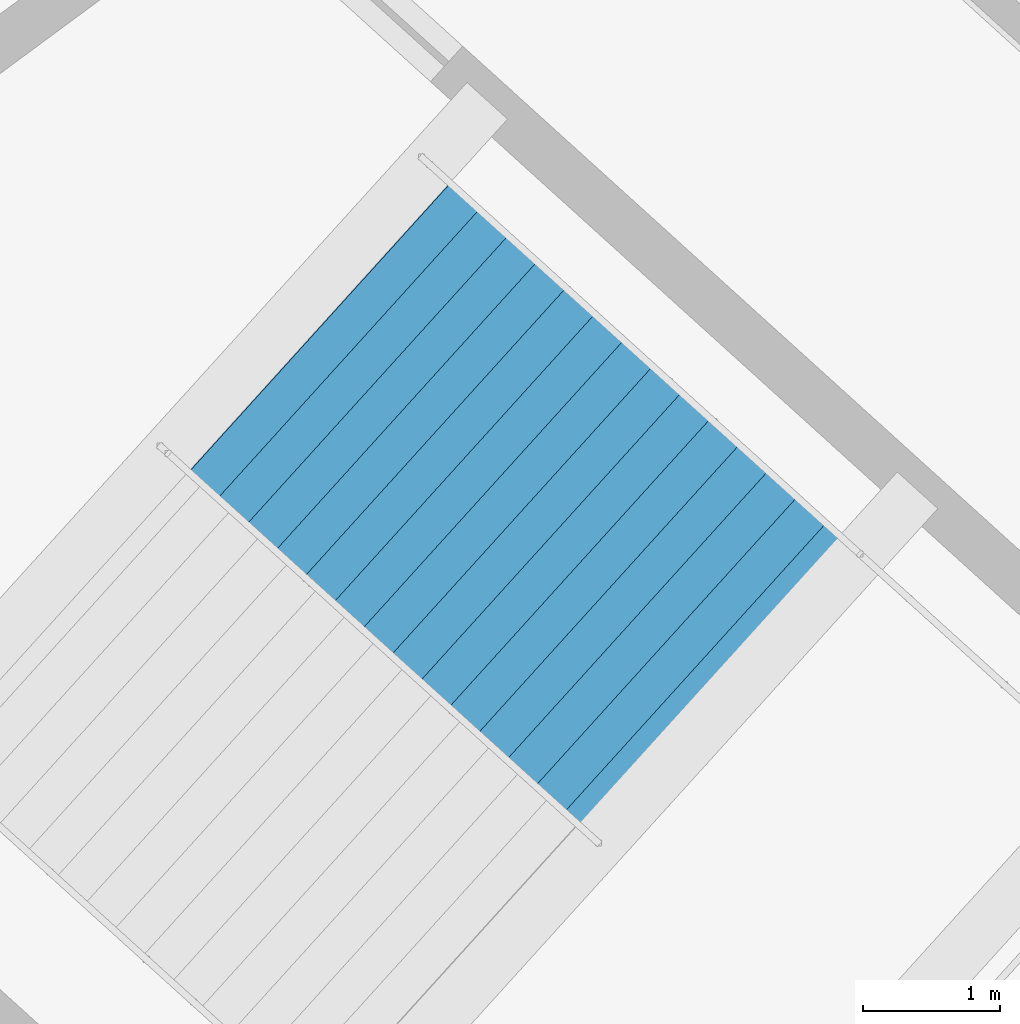
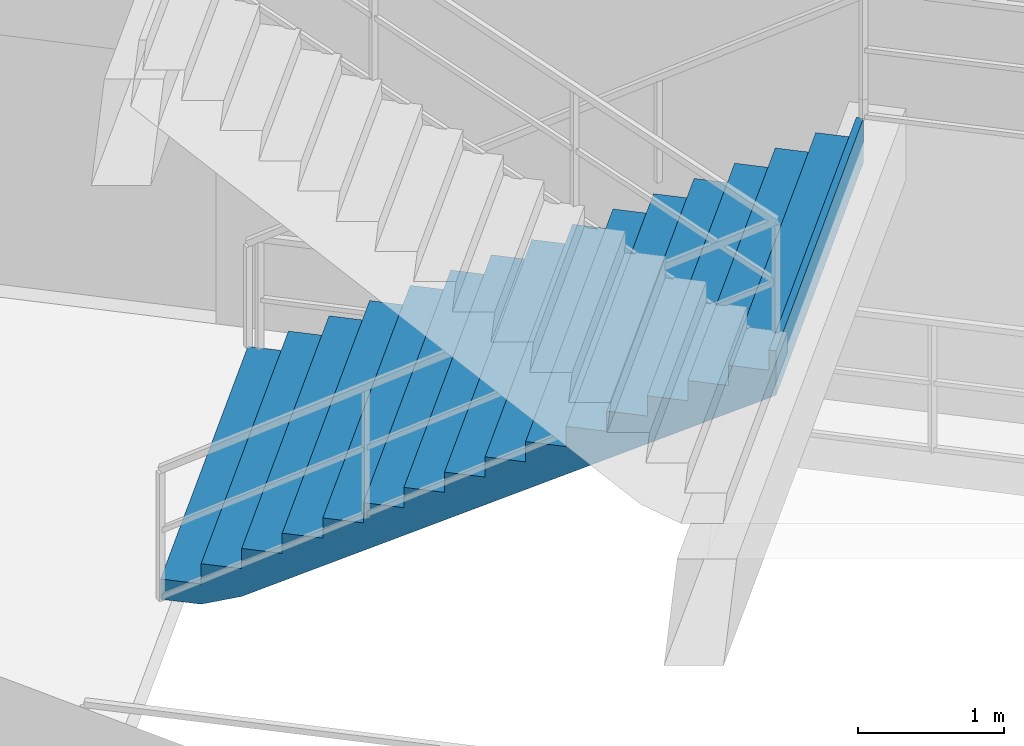
# One storey, part 153 of 162: 1 stair flight, 1 element without a shape of its own.
"""IFC4 building model written with IfcOpenShell, lengths in metres."""

from ifc_helpers import new_model, si_unit, direction, frame, origin, place, context, subcontext, project, spatial, polygons, material, type_object, element, aggregate, save


model = new_model("IFC4")

# Units and contexts
model_context = context("Model", 3, precision=1e-05, world=origin(), true_north=direction((0.0, 1.0)))
body_context = subcontext(model_context, "Body", "Model", "MODEL_VIEW")
ifc_project = project(units=[si_unit("LENGTHUNIT", "METRE"), si_unit("AREAUNIT", "SQUARE_METRE"), si_unit("VOLUMEUNIT", "CUBIC_METRE"), si_unit("PLANEANGLEUNIT", "RADIAN"), si_unit("MASSUNIT", "GRAM", prefix="KILO")], contexts=[model_context])

# Site, building, storey
site_placement = place(None, origin())
site = spatial("IfcSite", under=ifc_project, at=site_placement, CompositionType="ELEMENT")
building_placement = place(site_placement, origin())
building = spatial("IfcBuilding", under=site, at=building_placement, Name="Kazemori Nagisa Stadium", CompositionType="ELEMENT")
storey_placement = place(building_placement, frame((0.0, 0.0, 36.719970703125)))
storey = spatial("IfcBuildingStorey", under=building, at=storey_placement, Name="RF", CompositionType="ELEMENT", Elevation=36.719970703125)

# Stair, stair flight
ifc_material = material(Name="Concrete C36/45 (Fc36)", Category="concrete")
stair_type = type_object("IfcStairType", Name="Stair_CORE_32", PredefinedType="TWO_STRAIGHT_RUN_STAIR", material=ifc_material)
stair_placement = place(storey_placement, origin())
stair = element("IfcStair", 1, at=stair_placement, inside=storey, type_object=stair_type, Name="Exit stair ST03 RF", PredefinedType="TWO_STRAIGHT_RUN_STAIR")
stair_flight_type = type_object("IfcStairFlightType", Name="Flight_CORE_16", PredefinedType="STRAIGHT", material=ifc_material)
stair_flight_placement = place(storey_placement, frame((54.10791015625, 47.6630859375, 0.0), z_axis=(0.0, 0.0, 1.0), x_axis=(0.741354464355, -0.671113670089, 0.0)))
stair_flight = element("IfcStairFlight", 2, at=stair_flight_placement, type_object=stair_flight_type, Name="Exit stair ST03 RF flight 1", NumberOfRisers=16, NumberOfTreads=15, PredefinedType="STRAIGHT", RiserHeight=0.17, TreadLength=0.285, context=body_context, shape_type="Tessellation", body=[
    polygons([(0.0, -1.425048828125, 0.0), (0.0, -1.425048828125, 0.169921875), (0.284912109375, -1.425048828125, 0.169921875), (0.284912109375, -1.425048828125, 0.340087890625), (0.570068359375, -1.425048828125, 0.340087890625), (0.570068359375, -1.425048828125, 0.510009765625), (0.85498046875, -1.425048828125, 0.510009765625), (0.85498046875, -1.425048828125, 0.679931640625), (1.139892578125, -1.425048828125, 0.679931640625), (1.139892578125, -1.425048828125, 0.85009765625), (1.425048828125, -1.425048828125, 0.85009765625), (1.425048828125, -1.425048828125, 1.02001953125), (1.7099609375, -1.425048828125, 1.02001953125), (1.7099609375, -1.425048828125, 1.18994140625), (1.9951171875, -1.425048828125, 1.18994140625), (1.9951171875, -1.425048828125, 1.360107421875), (2.280029296875, -1.425048828125, 1.360107421875), (2.280029296875, -1.425048828125, 1.530029296875), (2.56494140625, -1.425048828125, 1.530029296875), (2.56494140625, -1.425048828125, 1.699951171875), (2.85009765625, -1.425048828125, 1.699951171875), (2.85009765625, -1.425048828125, 1.8701171875), (3.135009765625, -1.425048828125, 1.8701171875), (3.135009765625, -1.425048828125, 2.0400390625), (3.419921875, -1.425048828125, 2.0400390625), (3.419921875, -1.425048828125, 2.2099609375), (3.705078125, -1.425048828125, 2.2099609375), (3.705078125, -1.425048828125, 2.3798828125), (3.989990234375, -1.425048828125, 2.3798828125), (3.989990234375, -1.425048828125, 2.550048828125), (4.27490234375, -1.425048828125, 2.550048828125), (4.27490234375, -1.425048828125, 2.719970703125), (4.324951171875, -1.425048828125, 2.719970703125), (4.324951171875, -1.425048828125, 2.346923828125), (4.27490234375, -1.425048828125, 2.317138671875), (3.989990234375, -1.425048828125, 2.147216796875), (3.705078125, -1.425048828125, 1.977294921875), (3.419921875, -1.425048828125, 1.80712890625), (3.135009765625, -1.425048828125, 1.63720703125), (2.85009765625, -1.425048828125, 1.46728515625), (2.56494140625, -1.425048828125, 1.297119140625), (2.280029296875, -1.425048828125, 1.127197265625), (1.9951171875, -1.425048828125, 0.957275390625), (1.7099609375, -1.425048828125, 0.787109375), (1.425048828125, -1.425048828125, 0.6171875), (1.139892578125, -1.425048828125, 0.447265625), (0.85498046875, -1.425048828125, 0.277099609375), (0.570068359375, -1.425048828125, 0.107177734375), (0.284912109375, -1.425048828125, 0.0), (0.0, -0.08544921875, 0.0), (0.0, -0.08544921875, 0.169921875), (0.284912109375, -0.08544921875, 0.169921875), (0.284912109375, -0.08544921875, 0.340087890625), (0.570068359375, -0.08544921875, 0.340087890625), (0.570068359375, -0.08544921875, 0.510009765625), (0.85498046875, -0.08544921875, 0.510009765625), (0.85498046875, -0.08544921875, 0.679931640625), (1.139892578125, -0.08544921875, 0.679931640625), (1.139892578125, -0.08544921875, 0.85009765625), (1.425048828125, -0.08544921875, 0.85009765625), (1.425048828125, -0.08544921875, 1.02001953125), (1.7099609375, -0.08544921875, 1.02001953125), (1.7099609375, -0.08544921875, 1.18994140625), (1.9951171875, -0.08544921875, 1.18994140625), (1.9951171875, -0.08544921875, 1.360107421875), (2.280029296875, -0.08544921875, 1.360107421875), (2.280029296875, -0.08544921875, 1.530029296875), (2.56494140625, -0.08544921875, 1.530029296875), (2.56494140625, -0.08544921875, 1.699951171875), (2.85009765625, -0.08544921875, 1.699951171875), (2.85009765625, -0.08544921875, 1.8701171875), (3.135009765625, -0.08544921875, 1.8701171875), (3.135009765625, -0.08544921875, 2.0400390625), (3.419921875, -0.08544921875, 2.0400390625), (3.419921875, -0.08544921875, 2.2099609375), (3.705078125, -0.08544921875, 2.2099609375), (3.705078125, -0.08544921875, 2.3798828125), (3.989990234375, -0.08544921875, 2.3798828125), (3.989990234375, -0.08544921875, 2.550048828125), (4.27490234375, -0.08544921875, 2.550048828125), (4.27490234375, -0.08544921875, 2.719970703125), (4.324951171875, -0.08544921875, 2.719970703125), (4.324951171875, -0.08544921875, 2.346923828125), (4.27490234375, -0.08544921875, 2.317138671875), (3.989990234375, -0.08544921875, 2.147216796875), (3.705078125, -0.08544921875, 1.977294921875), (3.419921875, -0.08544921875, 1.80712890625), (3.135009765625, -0.08544921875, 1.63720703125), (2.85009765625, -0.08544921875, 1.46728515625), (2.56494140625, -0.08544921875, 1.297119140625), (2.280029296875, -0.08544921875, 1.127197265625), (1.9951171875, -0.08544921875, 0.957275390625), (1.7099609375, -0.08544921875, 0.787109375), (1.425048828125, -0.08544921875, 0.6171875), (1.139892578125, -0.08544921875, 0.447265625), (0.85498046875, -0.08544921875, 0.277099609375), (0.570068359375, -0.08544921875, 0.107177734375), (0.284912109375, -0.08544921875, 0.0), (0.0, 0.0, 0.0), (0.0, 0.0, 0.169921875), (0.284912109375, 0.0, 0.169921875), (0.284912109375, 0.0, 0.340087890625), (0.570068359375, 0.0, 0.340087890625), (0.570068359375, 0.0, 0.510009765625), (0.85498046875, 0.0, 0.510009765625), (0.85498046875, 0.0, 0.679931640625), (1.139892578125, 0.0, 0.679931640625), (1.139892578125, 0.0, 0.85009765625), (1.425048828125, 0.0, 0.85009765625), (1.425048828125, 0.0, 1.02001953125), (1.7099609375, 0.0, 1.02001953125), (1.7099609375, 0.0, 1.18994140625), (1.9951171875, 0.0, 1.18994140625), (1.9951171875, 0.0, 1.360107421875), (2.280029296875, 0.0, 1.360107421875), (2.280029296875, 0.0, 1.530029296875), (2.56494140625, 0.0, 1.530029296875), (2.56494140625, 0.0, 1.699951171875), (2.85009765625, 0.0, 1.699951171875), (2.85009765625, 0.0, 1.8701171875), (3.135009765625, 0.0, 1.8701171875), (3.135009765625, 0.0, 2.0400390625), (3.419921875, 0.0, 2.0400390625), (3.419921875, 0.0, 2.2099609375), (3.705078125, 0.0, 2.2099609375), (3.705078125, 0.0, 2.3798828125), (3.989990234375, 0.0, 2.3798828125), (3.989990234375, 0.0, 2.550048828125), (4.27490234375, 0.0, 2.550048828125), (4.27490234375, 0.0, 2.719970703125), (4.324951171875, 0.0, 2.719970703125), (4.324951171875, 0.0, 2.346923828125), (4.27490234375, 0.0, 2.317138671875), (3.989990234375, 0.0, 2.147216796875), (3.705078125, 0.0, 1.977294921875), (3.419921875, 0.0, 1.80712890625), (3.135009765625, 0.0, 1.63720703125), (2.85009765625, 0.0, 1.46728515625), (2.56494140625, 0.0, 1.297119140625), (2.280029296875, 0.0, 1.127197265625), (1.9951171875, 0.0, 0.957275390625), (1.7099609375, 0.0, 0.787109375), (1.425048828125, 0.0, 0.6171875), (1.139892578125, 0.0, 0.447265625), (0.85498046875, 0.0, 0.277099609375), (0.570068359375, 0.0, 0.107177734375), (0.284912109375, 0.0, 0.0), (0.0, 0.08544921875, 0.0), (0.0, 0.08544921875, 0.169921875), (0.284912109375, 0.08544921875, 0.169921875), (0.284912109375, 0.08544921875, 0.340087890625), (0.570068359375, 0.08544921875, 0.340087890625), (0.570068359375, 0.08544921875, 0.510009765625), (0.85498046875, 0.08544921875, 0.510009765625), (0.85498046875, 0.08544921875, 0.679931640625), (1.139892578125, 0.08544921875, 0.679931640625), (1.139892578125, 0.08544921875, 0.85009765625), (1.425048828125, 0.08544921875, 0.85009765625), (1.425048828125, 0.08544921875, 1.02001953125), (1.7099609375, 0.08544921875, 1.02001953125), (1.7099609375, 0.08544921875, 1.18994140625), (1.9951171875, 0.08544921875, 1.18994140625), (1.9951171875, 0.08544921875, 1.360107421875), (2.280029296875, 0.08544921875, 1.360107421875), (2.280029296875, 0.08544921875, 1.530029296875), (2.56494140625, 0.08544921875, 1.530029296875), (2.56494140625, 0.08544921875, 1.699951171875), (2.85009765625, 0.08544921875, 1.699951171875), (2.85009765625, 0.08544921875, 1.8701171875), (3.135009765625, 0.08544921875, 1.8701171875), (3.135009765625, 0.08544921875, 2.0400390625), (3.419921875, 0.08544921875, 2.0400390625), (3.419921875, 0.08544921875, 2.2099609375), (3.705078125, 0.08544921875, 2.2099609375), (3.705078125, 0.08544921875, 2.3798828125), (3.989990234375, 0.08544921875, 2.3798828125), (3.989990234375, 0.08544921875, 2.550048828125), (4.27490234375, 0.08544921875, 2.550048828125), (4.27490234375, 0.08544921875, 2.719970703125), (4.324951171875, 0.08544921875, 2.719970703125), (4.324951171875, 0.08544921875, 2.346923828125), (4.27490234375, 0.08544921875, 2.317138671875), (3.989990234375, 0.08544921875, 2.147216796875), (3.705078125, 0.08544921875, 1.977294921875), (3.419921875, 0.08544921875, 1.80712890625), (3.135009765625, 0.08544921875, 1.63720703125), (2.85009765625, 0.08544921875, 1.46728515625), (2.56494140625, 0.08544921875, 1.297119140625), (2.280029296875, 0.08544921875, 1.127197265625), (1.9951171875, 0.08544921875, 0.957275390625), (1.7099609375, 0.08544921875, 0.787109375), (1.425048828125, 0.08544921875, 0.6171875), (1.139892578125, 0.08544921875, 0.447265625), (0.85498046875, 0.08544921875, 0.277099609375), (0.570068359375, 0.08544921875, 0.107177734375), (0.284912109375, 0.08544921875, 0.0), (0.0, 1.425048828125, 0.0), (0.0, 1.425048828125, 0.169921875), (0.284912109375, 1.425048828125, 0.169921875), (0.284912109375, 1.425048828125, 0.340087890625), (0.570068359375, 1.425048828125, 0.340087890625), (0.570068359375, 1.425048828125, 0.510009765625), (0.85498046875, 1.425048828125, 0.510009765625), (0.85498046875, 1.425048828125, 0.679931640625), (1.139892578125, 1.425048828125, 0.679931640625), (1.139892578125, 1.425048828125, 0.85009765625), (1.425048828125, 1.425048828125, 0.85009765625), (1.425048828125, 1.425048828125, 1.02001953125), (1.7099609375, 1.425048828125, 1.02001953125), (1.7099609375, 1.425048828125, 1.18994140625), (1.9951171875, 1.425048828125, 1.18994140625), (1.9951171875, 1.425048828125, 1.360107421875), (2.280029296875, 1.425048828125, 1.360107421875), (2.280029296875, 1.425048828125, 1.530029296875), (2.56494140625, 1.425048828125, 1.530029296875), (2.56494140625, 1.425048828125, 1.699951171875), (2.85009765625, 1.425048828125, 1.699951171875), (2.85009765625, 1.425048828125, 1.8701171875), (3.135009765625, 1.425048828125, 1.8701171875), (3.135009765625, 1.425048828125, 2.0400390625), (3.419921875, 1.425048828125, 2.0400390625), (3.419921875, 1.425048828125, 2.2099609375), (3.705078125, 1.425048828125, 2.2099609375), (3.705078125, 1.425048828125, 2.3798828125), (3.989990234375, 1.425048828125, 2.3798828125), (3.989990234375, 1.425048828125, 2.550048828125), (4.27490234375, 1.425048828125, 2.550048828125), (4.27490234375, 1.425048828125, 2.719970703125), (4.324951171875, 1.425048828125, 2.719970703125), (4.324951171875, 1.425048828125, 2.346923828125), (4.27490234375, 1.425048828125, 2.317138671875), (3.989990234375, 1.425048828125, 2.147216796875), (3.705078125, 1.425048828125, 1.977294921875), (3.419921875, 1.425048828125, 1.80712890625), (3.135009765625, 1.425048828125, 1.63720703125), (2.85009765625, 1.425048828125, 1.46728515625), (2.56494140625, 1.425048828125, 1.297119140625), (2.280029296875, 1.425048828125, 1.127197265625), (1.9951171875, 1.425048828125, 0.957275390625), (1.7099609375, 1.425048828125, 0.787109375), (1.425048828125, 1.425048828125, 0.6171875), (1.139892578125, 1.425048828125, 0.447265625), (0.85498046875, 1.425048828125, 0.277099609375), (0.570068359375, 1.425048828125, 0.107177734375), (0.284912109375, 1.425048828125, 0.0)], [[[1, 2, 51]], [[1, 51, 50]], [[2, 3, 52]], [[2, 52, 51]], [[3, 4, 53]], [[3, 53, 52]], [[4, 5, 54]], [[4, 54, 53]], [[5, 6, 55]], [[5, 55, 54]], [[6, 7, 56]], [[6, 56, 55]], [[7, 8, 57]], [[7, 57, 56]], [[8, 9, 58]], [[8, 58, 57]], [[9, 10, 59]], [[9, 59, 58]], [[10, 11, 60]], [[10, 60, 59]], [[11, 12, 61]], [[11, 61, 60]], [[12, 13, 62]], [[12, 62, 61]], [[13, 14, 63]], [[13, 63, 62]], [[14, 15, 64]], [[14, 64, 63]], [[15, 16, 65]], [[15, 65, 64]], [[16, 17, 66]], [[16, 66, 65]], [[17, 18, 67]], [[17, 67, 66]], [[18, 19, 68]], [[18, 68, 67]], [[19, 20, 69]], [[19, 69, 68]], [[20, 21, 70]], [[20, 70, 69]], [[21, 22, 71]], [[21, 71, 70]], [[22, 23, 72]], [[22, 72, 71]], [[23, 24, 73]], [[23, 73, 72]], [[24, 25, 74]], [[24, 74, 73]], [[25, 26, 75]], [[25, 75, 74]], [[26, 27, 76]], [[26, 76, 75]], [[27, 28, 77]], [[27, 77, 76]], [[28, 29, 78]], [[28, 78, 77]], [[29, 30, 79]], [[29, 79, 78]], [[30, 31, 80]], [[30, 80, 79]], [[31, 32, 81]], [[31, 81, 80]], [[32, 33, 82]], [[32, 82, 81]], [[33, 34, 83]], [[33, 83, 82]], [[34, 35, 84]], [[34, 84, 83]], [[35, 36, 85]], [[35, 85, 84]], [[36, 37, 86]], [[36, 86, 85]], [[37, 38, 87]], [[37, 87, 86]], [[38, 39, 88]], [[38, 88, 87]], [[39, 40, 89]], [[39, 89, 88]], [[40, 41, 90]], [[40, 90, 89]], [[41, 42, 91]], [[41, 91, 90]], [[42, 43, 92]], [[42, 92, 91]], [[43, 44, 93]], [[43, 93, 92]], [[44, 45, 94]], [[44, 94, 93]], [[45, 46, 95]], [[45, 95, 94]], [[46, 47, 96]], [[46, 96, 95]], [[47, 48, 97]], [[47, 97, 96]], [[48, 49, 98]], [[48, 98, 97]], [[49, 1, 50]], [[49, 50, 98]], [[50, 51, 100]], [[50, 100, 99]], [[51, 52, 101]], [[51, 101, 100]], [[52, 53, 102]], [[52, 102, 101]], [[53, 54, 103]], [[53, 103, 102]], [[54, 55, 104]], [[54, 104, 103]], [[55, 56, 105]], [[55, 105, 104]], [[56, 57, 106]], [[56, 106, 105]], [[57, 58, 107]], [[57, 107, 106]], [[58, 59, 108]], [[58, 108, 107]], [[59, 60, 109]], [[59, 109, 108]], [[60, 61, 110]], [[60, 110, 109]], [[61, 62, 111]], [[61, 111, 110]], [[62, 63, 112]], [[62, 112, 111]], [[63, 64, 113]], [[63, 113, 112]], [[64, 65, 114]], [[64, 114, 113]], [[65, 66, 115]], [[65, 115, 114]], [[66, 67, 116]], [[66, 116, 115]], [[67, 68, 117]], [[67, 117, 116]], [[68, 69, 118]], [[68, 118, 117]], [[69, 70, 119]], [[69, 119, 118]], [[70, 71, 120]], [[70, 120, 119]], [[71, 72, 121]], [[71, 121, 120]], [[72, 73, 122]], [[72, 122, 121]], [[73, 74, 123]], [[73, 123, 122]], [[74, 75, 124]], [[74, 124, 123]], [[75, 76, 125]], [[75, 125, 124]], [[76, 77, 126]], [[76, 126, 125]], [[77, 78, 127]], [[77, 127, 126]], [[78, 79, 128]], [[78, 128, 127]], [[79, 80, 129]], [[79, 129, 128]], [[80, 81, 130]], [[80, 130, 129]], [[81, 82, 131]], [[81, 131, 130]], [[82, 83, 132]], [[82, 132, 131]], [[83, 84, 133]], [[83, 133, 132]], [[84, 85, 134]], [[84, 134, 133]], [[85, 86, 135]], [[85, 135, 134]], [[86, 87, 136]], [[86, 136, 135]], [[87, 88, 137]], [[87, 137, 136]], [[88, 89, 138]], [[88, 138, 137]], [[89, 90, 139]], [[89, 139, 138]], [[90, 91, 140]], [[90, 140, 139]], [[91, 92, 141]], [[91, 141, 140]], [[92, 93, 142]], [[92, 142, 141]], [[93, 94, 143]], [[93, 143, 142]], [[94, 95, 144]], [[94, 144, 143]], [[95, 96, 145]], [[95, 145, 144]], [[96, 97, 146]], [[96, 146, 145]], [[97, 98, 147]], [[97, 147, 146]], [[98, 50, 99]], [[98, 99, 147]], [[99, 100, 149]], [[99, 149, 148]], [[100, 101, 150]], [[100, 150, 149]], [[101, 102, 151]], [[101, 151, 150]], [[102, 103, 152]], [[102, 152, 151]], [[103, 104, 153]], [[103, 153, 152]], [[104, 105, 154]], [[104, 154, 153]], [[105, 106, 155]], [[105, 155, 154]], [[106, 107, 156]], [[106, 156, 155]], [[107, 108, 157]], [[107, 157, 156]], [[108, 109, 158]], [[108, 158, 157]], [[109, 110, 159]], [[109, 159, 158]], [[110, 111, 160]], [[110, 160, 159]], [[111, 112, 161]], [[111, 161, 160]], [[112, 113, 162]], [[112, 162, 161]], [[113, 114, 163]], [[113, 163, 162]], [[114, 115, 164]], [[114, 164, 163]], [[115, 116, 165]], [[115, 165, 164]], [[116, 117, 166]], [[116, 166, 165]], [[117, 118, 167]], [[117, 167, 166]], [[118, 119, 168]], [[118, 168, 167]], [[119, 120, 169]], [[119, 169, 168]], [[120, 121, 170]], [[120, 170, 169]], [[121, 122, 171]], [[121, 171, 170]], [[122, 123, 172]], [[122, 172, 171]], [[123, 124, 173]], [[123, 173, 172]], [[124, 125, 174]], [[124, 174, 173]], [[125, 126, 175]], [[125, 175, 174]], [[126, 127, 176]], [[126, 176, 175]], [[127, 128, 177]], [[127, 177, 176]], [[128, 129, 178]], [[128, 178, 177]], [[129, 130, 179]], [[129, 179, 178]], [[130, 131, 180]], [[130, 180, 179]], [[131, 132, 181]], [[131, 181, 180]], [[132, 133, 182]], [[132, 182, 181]], [[133, 134, 183]], [[133, 183, 182]], [[134, 135, 184]], [[134, 184, 183]], [[135, 136, 185]], [[135, 185, 184]], [[136, 137, 186]], [[136, 186, 185]], [[137, 138, 187]], [[137, 187, 186]], [[138, 139, 188]], [[138, 188, 187]], [[139, 140, 189]], [[139, 189, 188]], [[140, 141, 190]], [[140, 190, 189]], [[141, 142, 191]], [[141, 191, 190]], [[142, 143, 192]], [[142, 192, 191]], [[143, 144, 193]], [[143, 193, 192]], [[144, 145, 194]], [[144, 194, 193]], [[145, 146, 195]], [[145, 195, 194]], [[146, 147, 196]], [[146, 196, 195]], [[147, 99, 148]], [[147, 148, 196]], [[148, 149, 198]], [[148, 198, 197]], [[149, 150, 199]], [[149, 199, 198]], [[150, 151, 200]], [[150, 200, 199]], [[151, 152, 201]], [[151, 201, 200]], [[152, 153, 202]], [[152, 202, 201]], [[153, 154, 203]], [[153, 203, 202]], [[154, 155, 204]], [[154, 204, 203]], [[155, 156, 205]], [[155, 205, 204]], [[156, 157, 206]], [[156, 206, 205]], [[157, 158, 207]], [[157, 207, 206]], [[158, 159, 208]], [[158, 208, 207]], [[159, 160, 209]], [[159, 209, 208]], [[160, 161, 210]], [[160, 210, 209]], [[161, 162, 211]], [[161, 211, 210]], [[162, 163, 212]], [[162, 212, 211]], [[163, 164, 213]], [[163, 213, 212]], [[164, 165, 214]], [[164, 214, 213]], [[165, 166, 215]], [[165, 215, 214]], [[166, 167, 216]], [[166, 216, 215]], [[167, 168, 217]], [[167, 217, 216]], [[168, 169, 218]], [[168, 218, 217]], [[169, 170, 219]], [[169, 219, 218]], [[170, 171, 220]], [[170, 220, 219]], [[171, 172, 221]], [[171, 221, 220]], [[172, 173, 222]], [[172, 222, 221]], [[173, 174, 223]], [[173, 223, 222]], [[174, 175, 224]], [[174, 224, 223]], [[175, 176, 225]], [[175, 225, 224]], [[176, 177, 226]], [[176, 226, 225]], [[177, 178, 227]], [[177, 227, 226]], [[178, 179, 228]], [[178, 228, 227]], [[179, 180, 229]], [[179, 229, 228]], [[180, 181, 230]], [[180, 230, 229]], [[181, 182, 231]], [[181, 231, 230]], [[182, 183, 232]], [[182, 232, 231]], [[183, 184, 233]], [[183, 233, 232]], [[184, 185, 234]], [[184, 234, 233]], [[185, 186, 235]], [[185, 235, 234]], [[186, 187, 236]], [[186, 236, 235]], [[187, 188, 237]], [[187, 237, 236]], [[188, 189, 238]], [[188, 238, 237]], [[189, 190, 239]], [[189, 239, 238]], [[190, 191, 240]], [[190, 240, 239]], [[191, 192, 241]], [[191, 241, 240]], [[192, 193, 242]], [[192, 242, 241]], [[193, 194, 243]], [[193, 243, 242]], [[194, 195, 244]], [[194, 244, 243]], [[195, 196, 245]], [[195, 245, 244]], [[196, 148, 197]], [[196, 197, 245]], [[3, 2, 1]], [[197, 198, 199]], [[49, 3, 1]], [[197, 199, 245]], [[48, 3, 49]], [[245, 199, 244]], [[5, 3, 48]], [[244, 199, 201]], [[5, 4, 3]], [[199, 200, 201]], [[47, 5, 48]], [[244, 201, 243]], [[7, 5, 47]], [[243, 201, 203]], [[7, 6, 5]], [[201, 202, 203]], [[46, 7, 47]], [[243, 203, 242]], [[9, 7, 46]], [[242, 203, 205]], [[9, 8, 7]], [[203, 204, 205]], [[45, 9, 46]], [[242, 205, 241]], [[11, 9, 45]], [[241, 205, 207]], [[11, 10, 9]], [[205, 206, 207]], [[44, 11, 45]], [[241, 207, 240]], [[13, 11, 44]], [[240, 207, 209]], [[13, 12, 11]], [[207, 208, 209]], [[43, 13, 44]], [[240, 209, 239]], [[15, 13, 43]], [[239, 209, 211]], [[15, 14, 13]], [[209, 210, 211]], [[42, 15, 43]], [[239, 211, 238]], [[17, 15, 42]], [[238, 211, 213]], [[17, 16, 15]], [[211, 212, 213]], [[41, 17, 42]], [[238, 213, 237]], [[19, 17, 41]], [[237, 213, 215]], [[19, 18, 17]], [[213, 214, 215]], [[40, 19, 41]], [[237, 215, 236]], [[21, 19, 40]], [[236, 215, 217]], [[21, 20, 19]], [[215, 216, 217]], [[39, 21, 40]], [[236, 217, 235]], [[23, 21, 39]], [[235, 217, 219]], [[23, 22, 21]], [[217, 218, 219]], [[38, 23, 39]], [[235, 219, 234]], [[25, 23, 38]], [[234, 219, 221]], [[25, 24, 23]], [[219, 220, 221]], [[37, 25, 38]], [[234, 221, 233]], [[27, 25, 37]], [[233, 221, 223]], [[27, 26, 25]], [[221, 222, 223]], [[36, 27, 37]], [[233, 223, 232]], [[29, 27, 36]], [[232, 223, 225]], [[29, 28, 27]], [[223, 224, 225]], [[35, 29, 36]], [[232, 225, 231]], [[31, 29, 35]], [[231, 225, 227]], [[31, 30, 29]], [[225, 226, 227]], [[34, 31, 35]], [[231, 227, 230]], [[33, 31, 34]], [[230, 227, 229]], [[33, 32, 31]], [[227, 228, 229]]], closed=True),
])
aggregate(stair, [stair_flight])

save(model, "model.ifc")
